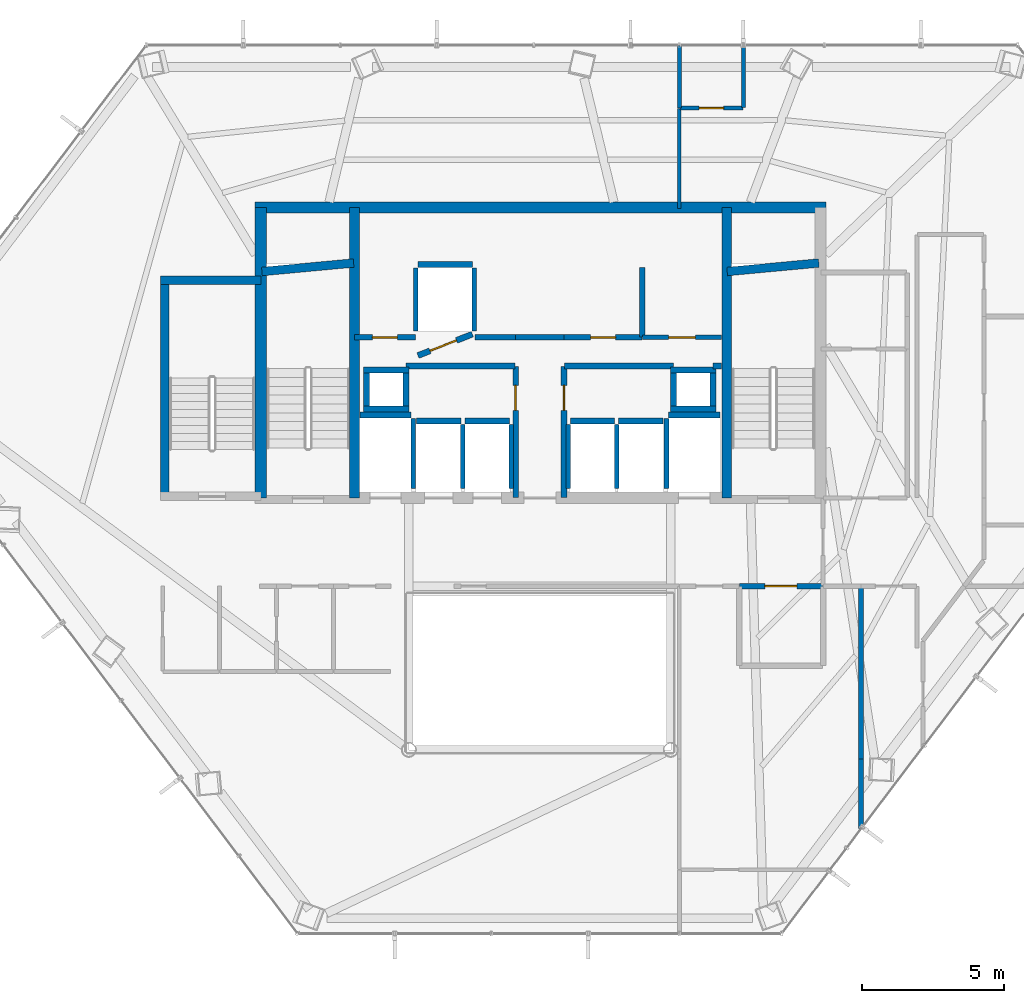
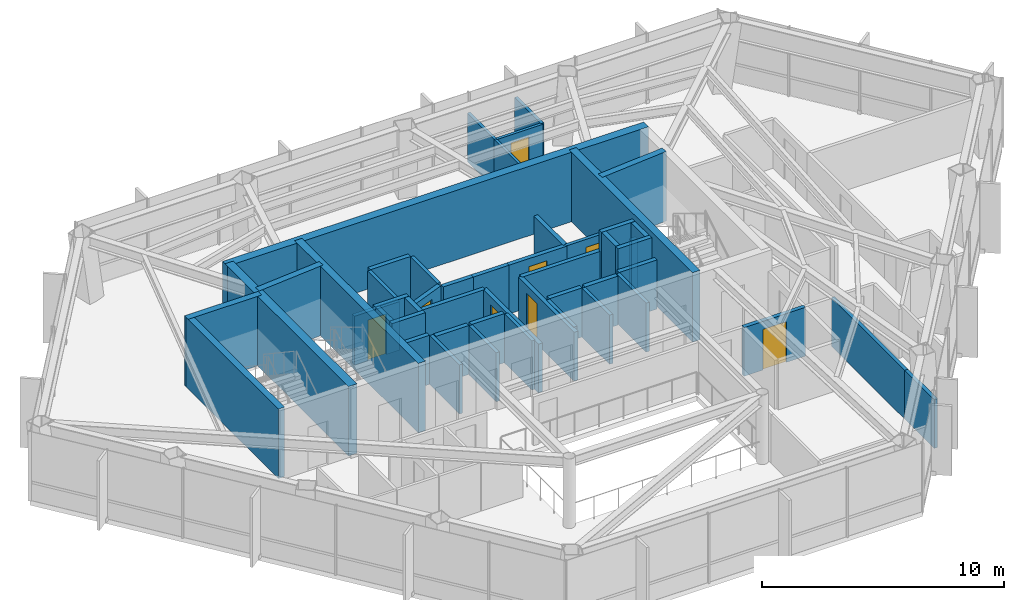
# One storey, part 26 of 29: 50 walls, 8 doors, 8 openings.
"""IFC4 building model written with IfcOpenShell, lengths in metres."""

from ifc_helpers import new_model, si_unit, direction, frame, frame_2d, origin, place, context, subcontext, project, spatial, rectangle, extrude, material, layer, layer_set, type_object, element, fill, save


model = new_model("IFC4")

# Units and contexts
model_context = context("Model", 3, precision=1e-05, world=origin(), true_north=direction((0.0, 1.0)))
body_context = subcontext(model_context, "Body", "Model", "MODEL_VIEW")
ifc_project = project(units=[si_unit("LENGTHUNIT", "METRE"), si_unit("AREAUNIT", "SQUARE_METRE"), si_unit("VOLUMEUNIT", "CUBIC_METRE"), si_unit("PLANEANGLEUNIT", "RADIAN"), si_unit("MASSUNIT", "GRAM", prefix="KILO")], contexts=[model_context])

# Site, building, storey
site_placement = place(None, origin())
site = spatial("IfcSite", under=ifc_project, at=site_placement, CompositionType="ELEMENT")
building_placement = place(site_placement, origin())
building = spatial("IfcBuilding", under=site, at=building_placement, Name="Zarrinselat Tower", CompositionType="ELEMENT")
storey_placement = place(building_placement, frame((0.0, 0.0, 142.1201171875)))
storey = spatial("IfcBuildingStorey", under=building, at=storey_placement, Name="L34", CompositionType="ELEMENT", Elevation=142.1201171875)

# Walls
ifc_material_1 = material(Name="Fire-Rated Gypsum Board Partition", Category="gypsum")
ifc_layer_1 = layer(ifc_material_1, 0.1650390625)
ifc_layer_set_1 = layer_set([ifc_layer_1], Name="Fire-Rated Gypsum Board Partition")
wall_type_1 = type_object("IfcWallType", Name="WAL-PART-DEMISE", PredefinedType="PARTITIONING", material=ifc_layer_set_1)
wall_1_placement = place(storey_placement, frame((49.68359375, 24.077880859375, 0.0), z_axis=(0.0, 0.0, 1.0), x_axis=(0.0, 1.0, 0.0)))
element("IfcWall", 1, at=wall_1_placement, inside=storey, type_object=wall_type_1, Name="L34 Partition Wall 48", PredefinedType="PARTITIONING", context=body_context, shape_type="SweptSolid", body=[
    extrude(rectangle(XDim=6.052001953125, YDim=0.1650390625, at=frame_2d((3.02587890625, 0.0))), origin(), (0.0, 0.0, 1.0), 2.456787109375),
])
wall_2_placement = place(storey_placement, frame((49.68359375, 21.639404296875, 0.0), z_axis=(0.0, 0.0, 1.0), x_axis=(0.0, 1.0, 0.0)))
element("IfcWall", 2, at=wall_2_placement, inside=storey, type_object=wall_type_1, Name="L34 Partition Wall 49", PredefinedType="PARTITIONING", context=body_context, shape_type="SweptSolid", body=[
    extrude(rectangle(XDim=2.4384765625, YDim=0.1650390625, at=frame_2d((1.21923828125, 0.0))), origin(), (0.0, 0.0, 1.0), 2.456787109375),
])

# Wall, opening, door
ifc_material_2 = material(Name="Concrete C40/50", Category="concrete")
ifc_layer_2 = layer(ifc_material_2, 0.18994140625)
ifc_layer_set_2 = layer_set([ifc_layer_2], Name="Concrete C40/50")
wall_type_2 = type_object("IfcWallType", Name="WAL-PART-EI120", PredefinedType="PARTITIONING", material=ifc_layer_set_2)
wall_3_placement = place(storey_placement, frame((45.405029296875, 30.14990234375, 0.0), z_axis=(0.0, 0.0, 1.0), x_axis=(1.0, 0.0, 0.0)))
wall_3 = element("IfcWall", 3, at=wall_3_placement, inside=storey, type_object=wall_type_2, Name="L34 Partition Wall 12", PredefinedType="PARTITIONING", context=body_context, shape_type="SweptSolid", body=[
    extrude(rectangle(XDim=2.925048828125, YDim=0.18994140625, at=frame_2d((1.46240234375, 0.0))), origin(), (0.0, 0.0, 1.0), 2.456787109375),
])
opening_1_placement = place(wall_3_placement, frame((0.902587890625, 0.0, 0.0)))
opening_1 = element("IfcOpeningElement", 4, at=opening_1_placement, cuts=wall_3, Name="Opening ID-02", PredefinedType="OPENING", context=body_context, shape_type="SweptSolid", body=[
    extrude(rectangle(XDim=1.1201171875, YDim=2.050048828125, at=frame_2d((0.56005859375, 1.02490234375))), frame((0.0, 0.10498046875, 0.0), z_axis=(0.0, -1.0, 0.0), x_axis=(1.0, 0.0, 0.0)), (0.0, 0.0, 1.0), 0.2099609375),
])
ifc_material_3 = material(Name="Steel S355J2", Category="steel")
door_type_1 = type_object("IfcDoorType", Name="DR-INT-FD60-W", OperationType="NOTDEFINED", PredefinedType="DOOR", material=ifc_material_3)
door_1_placement = place(opening_1_placement, origin())
door_1 = element("IfcDoor", 5, at=door_1_placement, inside=storey, type_object=door_type_1, Name="L34 Interior Door P12", OperationType="SINGLE_SWING_RIGHT", OverallHeight=2.050048828125, OverallWidth=1.1201171875, PredefinedType="DOOR", context=body_context, shape_type="SweptSolid", body=[
    extrude(rectangle(XDim=1.1201171875, YDim=2.050048828125, at=frame_2d((0.56005859375, 1.02490234375))), frame((0.0, 0.02490234375, 0.0), z_axis=(0.0, -1.0, 0.0), x_axis=(1.0, 0.0, 0.0)), (0.0, 0.0, 1.0), 0.050048828125),
])
fill(opening_1, door_1)

ifc_material_4 = material(Name="Fire-Rated Gypsum Board Partition", Category="gypsum")
ifc_layer_3 = layer(ifc_material_4, 0.14990234375)
ifc_layer_set_3 = layer_set([ifc_layer_3], Name="Fire-Rated Gypsum Board Partition")
wall_type_3 = type_object("IfcWallType", Name="WAL-PART-EI60", PredefinedType="PARTITIONING", material=ifc_layer_set_3)
wall_4_placement = place(storey_placement, frame((42.0048828125, 38.889892578125, 0.0), z_axis=(0.0, 0.0, 1.0), x_axis=(1.0, 0.0, 0.0)))
wall_4 = element("IfcWall", 6, at=wall_4_placement, inside=storey, type_object=wall_type_3, Name="L34 Partition Wall 7", PredefinedType="PARTITIONING", context=body_context, shape_type="SweptSolid", body=[
    extrude(rectangle(XDim=2.780029296875, YDim=0.14990234375, at=frame_2d((1.39013671875, 0.0))), origin(), (0.0, 0.0, 1.0), 2.456787109375),
])
opening_2_placement = place(wall_4_placement, frame((0.919921875, 0.0, 0.0)))
opening_2 = element("IfcOpeningElement", 7, at=opening_2_placement, cuts=wall_4, Name="Opening ID-04", PredefinedType="OPENING", context=body_context, shape_type="SweptSolid", body=[
    extrude(rectangle(XDim=0.93994140625, YDim=2.050048828125, at=frame_2d((0.469970703125, 1.02490234375))), frame((0.0, 0.0849609375, 0.0), z_axis=(0.0, -1.0, 0.0), x_axis=(1.0, 0.0, 0.0)), (0.0, 0.0, 1.0), 0.169921875),
])
ifc_material_5 = material(Name="Fire-Rated Gypsum Board Partition")
door_type_2 = type_object("IfcDoorType", Name="DR-INT-FD30-ENT", OperationType="NOTDEFINED", PredefinedType="DOOR", material=ifc_material_5)
door_2_placement = place(opening_2_placement, origin())
door_2 = element("IfcDoor", 8, at=door_2_placement, inside=storey, type_object=door_type_2, Name="L34 Interior Door P7", OperationType="SINGLE_SWING_RIGHT", OverallHeight=2.050048828125, OverallWidth=0.93994140625, PredefinedType="DOOR", context=body_context, shape_type="SweptSolid", body=[
    extrude(rectangle(XDim=0.93994140625, YDim=2.050048828125, at=frame_2d((0.469970703125, 1.02490234375))), frame((0.0, 0.02490234375, 0.0), z_axis=(0.0, -1.0, 0.0), x_axis=(1.0, 0.0, 0.0)), (0.0, 0.0, 1.0), 0.050048828125),
])
fill(opening_2, door_2)

ifc_material_6 = material(Name="Concrete C40/50", Category="concrete")
ifc_layer_4 = layer(ifc_material_6, 0.199951171875)
ifc_layer_set_4 = layer_set([ifc_layer_4], Name="Concrete C40/50")
wall_type_4 = type_object("IfcWallType", Name="WAL-PART-PLANT", PredefinedType="PARTITIONING", material=ifc_layer_set_4)
wall_5_placement = place(storey_placement, frame((37.550048828125, 33.264892578125, 0.0), z_axis=(0.0, 0.0, 1.0), x_axis=(0.0, 1.0, 0.0)))
wall_5 = element("IfcWall", 9, at=wall_5_placement, inside=storey, type_object=wall_type_4, Name="L34 Partition Wall 1", PredefinedType="PARTITIONING", context=body_context, shape_type="SweptSolid", body=[
    extrude(rectangle(XDim=4.59521484375, YDim=0.199951171875, at=frame_2d((2.297607421875, 0.0))), origin(), (0.0, 0.0, 1.0), 2.456787109375),
])
opening_3_placement = place(wall_5_placement, frame((3.0576171875, 0.0, 0.0)))
opening_3 = element("IfcOpeningElement", 10, at=opening_3_placement, cuts=wall_5, Name="Opening ID-03", PredefinedType="OPENING", context=body_context, shape_type="SweptSolid", body=[
    extrude(rectangle(XDim=0.8798828125, YDim=2.050048828125, at=frame_2d((0.43994140625, 1.02490234375))), frame((0.0, 0.10986328125, 0.0), z_axis=(0.0, -1.0, 0.0), x_axis=(1.0, 0.0, 0.0)), (0.0, 0.0, 1.0), 0.219970703125),
])
ifc_material_7 = material(Name="Steel S355J2", Category="steel")
door_type_3 = type_object("IfcDoorType", Name="DR-INT-FD60-S", OperationType="NOTDEFINED", PredefinedType="DOOR", material=ifc_material_7)
door_3_placement = place(opening_3_placement, origin())
door_3 = element("IfcDoor", 11, at=door_3_placement, inside=storey, type_object=door_type_3, Name="L34 Interior Door P1", OperationType="SINGLE_SWING_LEFT", OverallHeight=2.050048828125, OverallWidth=0.8798828125, PredefinedType="DOOR", context=body_context, shape_type="SweptSolid", body=[
    extrude(rectangle(XDim=0.8798828125, YDim=2.050048828125, at=frame_2d((0.43994140625, 1.02490234375))), frame((0.0, 0.02490234375, 0.0), z_axis=(0.0, -1.0, 0.0), x_axis=(1.0, 0.0, 0.0)), (0.0, 0.0, 1.0), 0.050048828125),
])
fill(opening_3, door_3)

# Wall
wall_6_placement = place(storey_placement, frame((33.705078125, 37.8798828125, 0.0), z_axis=(0.0, 0.0, 1.0), x_axis=(1.0, 0.0, 0.0)))
element("IfcWall", 12, at=wall_6_placement, inside=storey, type_object=wall_type_4, Name="L34 Partition Wall 2", PredefinedType="PARTITIONING", context=body_context, shape_type="SweptSolid", body=[
    extrude(rectangle(XDim=3.824951171875, YDim=0.199951171875, at=frame_2d((1.91259765625, 0.0))), origin(), (0.0, 0.0, 1.0), 2.456787109375),
])

# Wall, opening, door
wall_7_placement = place(storey_placement, frame((31.885009765625, 38.889892578125, 0.0), z_axis=(0.0, 0.0, 1.0), x_axis=(1.0, 0.0, 0.0)))
wall_7 = element("IfcWall", 13, at=wall_7_placement, inside=storey, type_object=wall_type_4, Name="L34 Partition Wall 3", PredefinedType="PARTITIONING", context=body_context, shape_type="SweptSolid", body=[
    extrude(rectangle(XDim=2.14990234375, YDim=0.199951171875, at=frame_2d((1.074951171875, 0.0))), origin(), (0.0, 0.0, 1.0), 2.456787109375),
])
opening_4_placement = place(wall_7_placement, frame((0.635009765625, 0.0, 0.0)))
opening_4 = element("IfcOpeningElement", 14, at=opening_4_placement, cuts=wall_7, Name="Opening ID-03", PredefinedType="OPENING", context=body_context, shape_type="SweptSolid", body=[
    extrude(rectangle(XDim=0.8798828125, YDim=2.050048828125, at=frame_2d((0.43994140625, 1.02490234375))), frame((0.0, 0.10986328125, 0.0), z_axis=(0.0, -1.0, 0.0), x_axis=(1.0, 0.0, 0.0)), (0.0, 0.0, 1.0), 0.219970703125),
])
door_4_placement = place(opening_4_placement, origin())
door_4 = element("IfcDoor", 15, at=door_4_placement, inside=storey, type_object=door_type_3, Name="L34 Interior Door P3", OperationType="SINGLE_SWING_RIGHT", OverallHeight=2.050048828125, OverallWidth=0.8798828125, PredefinedType="DOOR", context=body_context, shape_type="SweptSolid", body=[
    extrude(rectangle(XDim=0.8798828125, YDim=2.050048828125, at=frame_2d((0.43994140625, 1.02490234375))), frame((0.0, 0.02490234375, 0.0), z_axis=(0.0, -1.0, 0.0), x_axis=(1.0, 0.0, 0.0)), (0.0, 0.0, 1.0), 0.050048828125),
])
fill(opening_4, door_4)

# Walls
wall_8_placement = place(storey_placement, frame((36.114990234375, 38.889892578125, 0.0), z_axis=(0.0, 0.0, 1.0), x_axis=(1.0, 0.0, 0.0)))
element("IfcWall", 16, at=wall_8_placement, inside=storey, type_object=wall_type_4, Name="L34 Partition Wall 4", PredefinedType="PARTITIONING", context=body_context, shape_type="SweptSolid", body=[
    extrude(rectangle(XDim=1.43505859375, YDim=0.199951171875, at=frame_2d((0.717529296875, 0.0))), origin(), (0.0, 0.0, 1.0), 2.456787109375),
])
wall_9_placement = place(storey_placement, frame((37.550048828125, 38.889892578125, 0.0), z_axis=(0.0, 0.0, 1.0), x_axis=(1.0, 0.0, 0.0)))
element("IfcWall", 17, at=wall_9_placement, inside=storey, type_object=wall_type_4, Name="L34 Partition Wall 5", PredefinedType="PARTITIONING", context=body_context, shape_type="SweptSolid", body=[
    extrude(rectangle(XDim=1.699951171875, YDim=0.199951171875, at=frame_2d((0.85009765625, 0.0))), origin(), (0.0, 0.0, 1.0), 2.456787109375),
])

# Wall, opening, door
wall_10_placement = place(storey_placement, frame((39.25, 38.889892578125, 0.0), z_axis=(0.0, 0.0, 1.0), x_axis=(1.0, 0.0, 0.0)))
wall_10 = element("IfcWall", 18, at=wall_10_placement, inside=storey, type_object=wall_type_4, Name="L34 Partition Wall 6", PredefinedType="PARTITIONING", context=body_context, shape_type="SweptSolid", body=[
    extrude(rectangle(XDim=2.7451171875, YDim=0.199951171875, at=frame_2d((1.37255859375, 0.0))), origin(), (0.0, 0.0, 1.0), 2.456787109375),
])
opening_5_placement = place(wall_10_placement, frame((0.9326171875, 0.0, 0.0)))
opening_5 = element("IfcOpeningElement", 19, at=opening_5_placement, cuts=wall_10, Name="Opening ID-03", PredefinedType="OPENING", context=body_context, shape_type="SweptSolid", body=[
    extrude(rectangle(XDim=0.8798828125, YDim=2.050048828125, at=frame_2d((0.43994140625, 1.02490234375))), frame((0.0, 0.10986328125, 0.0), z_axis=(0.0, -1.0, 0.0), x_axis=(1.0, 0.0, 0.0)), (0.0, 0.0, 1.0), 0.219970703125),
])
door_5_placement = place(opening_5_placement, origin())
door_5 = element("IfcDoor", 20, at=door_5_placement, inside=storey, type_object=door_type_3, Name="L34 Interior Door P6", OperationType="SINGLE_SWING_LEFT", OverallHeight=2.050048828125, OverallWidth=0.8798828125, PredefinedType="DOOR", context=body_context, shape_type="SweptSolid", body=[
    extrude(rectangle(XDim=0.8798828125, YDim=2.050048828125, at=frame_2d((0.43994140625, 1.02490234375))), frame((0.0, 0.02490234375, 0.0), z_axis=(0.0, -1.0, 0.0), x_axis=(1.0, 0.0, 0.0)), (0.0, 0.0, 1.0), 0.050048828125),
])
fill(opening_5, door_5)

# Walls
wall_11_placement = place(storey_placement, frame((39.27001953125, 37.8798828125, 0.0), z_axis=(0.0, 0.0, 1.0), x_axis=(1.0, 0.0, 0.0)))
element("IfcWall", 21, at=wall_11_placement, inside=storey, type_object=wall_type_4, Name="L34 Partition Wall 8", PredefinedType="PARTITIONING", context=body_context, shape_type="SweptSolid", body=[
    extrude(rectangle(XDim=3.824951171875, YDim=0.199951171875, at=frame_2d((1.91259765625, 0.0))), origin(), (0.0, 0.0, 1.0), 2.456787109375),
])
wall_12_placement = place(storey_placement, frame((44.485107421875, 37.8798828125, 0.0), z_axis=(0.0, 0.0, 1.0), x_axis=(1.0, 0.0, 0.0)))
element("IfcWall", 22, at=wall_12_placement, inside=storey, type_object=wall_type_4, Name="L34 Partition Wall 9", PredefinedType="PARTITIONING", context=body_context, shape_type="SweptSolid", body=[
    extrude(rectangle(XDim=0.2998046875, YDim=0.199951171875, at=frame_2d((0.14990234375, 0.0))), origin(), (0.0, 0.0, 1.0), 2.456787109375),
])

# Wall, opening, door
wall_13_placement = place(storey_placement, frame((39.25, 33.264892578125, 0.0), z_axis=(0.0, 0.0, 1.0), x_axis=(0.0, 1.0, 0.0)))
wall_13 = element("IfcWall", 23, at=wall_13_placement, inside=storey, type_object=wall_type_4, Name="L34 Partition Wall 10", PredefinedType="PARTITIONING", context=body_context, shape_type="SweptSolid", body=[
    extrude(rectangle(XDim=4.59521484375, YDim=0.199951171875, at=frame_2d((2.297607421875, 0.0))), origin(), (0.0, 0.0, 1.0), 2.456787109375),
])
opening_6_placement = place(wall_13_placement, frame((3.0576171875, 0.0, 0.0)))
opening_6 = element("IfcOpeningElement", 24, at=opening_6_placement, cuts=wall_13, Name="Opening ID-03", PredefinedType="OPENING", context=body_context, shape_type="SweptSolid", body=[
    extrude(rectangle(XDim=0.8798828125, YDim=2.050048828125, at=frame_2d((0.43994140625, 1.02490234375))), frame((0.0, 0.10986328125, 0.0), z_axis=(0.0, -1.0, 0.0), x_axis=(1.0, 0.0, 0.0)), (0.0, 0.0, 1.0), 0.219970703125),
])
door_6_placement = place(opening_6_placement, origin())
door_6 = element("IfcDoor", 25, at=door_6_placement, inside=storey, type_object=door_type_3, Name="L34 Interior Door P10", OperationType="SINGLE_SWING_LEFT", OverallHeight=2.050048828125, OverallWidth=0.8798828125, PredefinedType="DOOR", context=body_context, shape_type="SweptSolid", body=[
    extrude(rectangle(XDim=0.8798828125, YDim=2.050048828125, at=frame_2d((0.43994140625, 1.02490234375))), frame((0.0, 0.02490234375, 0.0), z_axis=(0.0, -1.0, 0.0), x_axis=(1.0, 0.0, 0.0)), (0.0, 0.0, 1.0), 0.050048828125),
])
fill(opening_6, door_6)

# Walls
wall_14_placement = place(storey_placement, frame((42.0, 38.909912109375, 0.0), z_axis=(0.0, 0.0, 1.0), x_axis=(0.0, 1.0, 0.0)))
element("IfcWall", 26, at=wall_14_placement, inside=storey, type_object=wall_type_4, Name="L34 Partition Wall 11", PredefinedType="PARTITIONING", context=body_context, shape_type="SweptSolid", body=[
    extrude(rectangle(XDim=2.440185546875, YDim=0.199951171875, at=frame_2d((1.22021484375, 0.0))), origin(), (0.0, 0.0, 1.0), 2.456787109375),
])
ifc_material_8 = material(Name="Fire-Rated Gypsum Board Partition", Category="gypsum")
ifc_layer_5 = layer(ifc_material_8, 0.1201171875)
ifc_layer_set_5 = layer_set([ifc_layer_5], Name="Fire-Rated Gypsum Board Partition")
wall_type_5 = type_object("IfcWallType", Name="WAL-PART-STD", PredefinedType="PARTITIONING", material=ifc_layer_set_5)
wall_15_placement = place(storey_placement, frame((43.300048828125, 43.4150390625, 0.0), z_axis=(0.0, 0.0, 1.0), x_axis=(0.0, 1.0, 0.0)))
element("IfcWall", 27, at=wall_15_placement, inside=storey, type_object=wall_type_5, Name="L34 Partition Wall 45", PredefinedType="PARTITIONING", context=body_context, shape_type="SweptSolid", body=[
    extrude(rectangle(XDim=3.52001953125, YDim=0.1201171875, at=frame_2d((1.760009765625, 0.0))), origin(), (0.0, 0.0, 1.0), 2.456787109375),
])
ifc_material_9 = material(Name="Fire-Rated Gypsum Board Partition", Category="gypsum")
ifc_layer_6 = layer(ifc_material_9, 0.135009765625)
ifc_layer_set_6 = layer_set([ifc_layer_6], Name="Fire-Rated Gypsum Board Partition")
wall_type_6 = type_object("IfcWallType", Name="WAL-PART-WET", PredefinedType="PARTITIONING", material=ifc_layer_set_6)
wall_16_placement = place(storey_placement, frame((43.300048828125, 46.945068359375, 0.0), z_axis=(0.0, 0.0, 1.0), x_axis=(0.0, 1.0, 0.0)))
element("IfcWall", 28, at=wall_16_placement, inside=storey, type_object=wall_type_6, Name="L34 Partition Wall 46", PredefinedType="PARTITIONING", context=body_context, shape_type="SweptSolid", body=[
    extrude(rectangle(XDim=2.18994140625, YDim=0.135009765625, at=frame_2d((1.094970703125, 0.0))), origin(), (0.0, 0.0, 1.0), 2.456787109375),
])

# Wall, opening, door
wall_17_placement = place(storey_placement, frame((43.320068359375, 46.93994140625, 0.0), z_axis=(0.0, 0.0, 1.0), x_axis=(1.0, 0.0, 0.0)))
wall_17 = element("IfcWall", 29, at=wall_17_placement, inside=storey, type_object=wall_type_6, Name="L34 Partition Wall 56", PredefinedType="PARTITIONING", context=body_context, shape_type="SweptSolid", body=[
    extrude(rectangle(XDim=2.2099609375, YDim=0.135009765625, at=frame_2d((1.10498046875, 0.0))), origin(), (0.0, 0.0, 1.0), 2.456787109375),
])
opening_7_placement = place(wall_17_placement, frame((0.675048828125, 0.0, 0.0)))
opening_7 = element("IfcOpeningElement", 30, at=opening_7_placement, cuts=wall_17, Name="Opening ID-06", PredefinedType="OPENING", context=body_context, shape_type="SweptSolid", body=[
    extrude(rectangle(XDim=0.860107421875, YDim=2.050048828125, at=frame_2d((0.43017578125, 1.02490234375))), frame((0.0, 0.077392578125, 0.0), z_axis=(0.0, -1.0, 0.0), x_axis=(1.0, 0.0, 0.0)), (0.0, 0.0, 1.0), 0.155029296875),
])
ifc_material_10 = material(Name="Extruded Aluminium Alloy EN AW-6063 T6", Category="aluminium")
door_type_4 = type_object("IfcDoorType", Name="DR-INT-WET-900", OperationType="NOTDEFINED", PredefinedType="DOOR", material=ifc_material_10)
door_7_placement = place(opening_7_placement, origin())
door_7 = element("IfcDoor", 31, at=door_7_placement, inside=storey, type_object=door_type_4, Name="L34 Interior Door P56", OperationType="SINGLE_SWING_LEFT", OverallHeight=2.050048828125, OverallWidth=0.860107421875, PredefinedType="DOOR", context=body_context, shape_type="SweptSolid", body=[
    extrude(rectangle(XDim=0.860107421875, YDim=2.050048828125, at=frame_2d((0.43017578125, 1.02490234375))), frame((0.0, 0.02490234375, 0.0), z_axis=(0.0, -1.0, 0.0), x_axis=(1.0, 0.0, 0.0)), (0.0, 0.0, 1.0), 0.050048828125),
])
fill(opening_7, door_7)

# Walls
wall_18_placement = place(storey_placement, frame((45.550048828125, 46.9599609375, 0.0), z_axis=(0.0, 0.0, 1.0), x_axis=(0.0, 1.0, 0.0)))
element("IfcWall", 32, at=wall_18_placement, inside=storey, type_object=wall_type_6, Name="L34 Partition Wall 57", PredefinedType="PARTITIONING", context=body_context, shape_type="SweptSolid", body=[
    extrude(rectangle(XDim=2.175048828125, YDim=0.135009765625, at=frame_2d((1.08740234375, 0.0))), origin(), (0.0, 0.0, 1.0), 2.456787109375),
])
ifc_material_11 = material(Name="Concrete C40/50", Category="concrete")
ifc_layer_7 = layer(ifc_material_11, 0.2099609375)
ifc_layer_set_7 = layer_set([ifc_layer_7], Name="Concrete C40/50")
wall_type_7 = type_object("IfcWallType", Name="WAL-SHAFT-210", PredefinedType="SOLIDWALL", material=ifc_layer_set_7)
wall_19_placement = place(storey_placement, frame((32.080078125, 36.155029296875, 0.0), z_axis=(0.0, 0.0, 1.0), x_axis=(1.0, 0.0, 0.0)))
element("IfcWall", 33, at=wall_19_placement, inside=storey, type_object=wall_type_7, Name="L34 Lift FFL1 North Shaft Wall", PredefinedType="SOLIDWALL", context=body_context, shape_type="SweptSolid", body=[
    extrude(rectangle(XDim=1.7998046875, YDim=0.2099609375, at=frame_2d((0.89990234375, 0.0))), origin(), (0.0, 0.0, 1.0), 2.471923828125),
])
wall_20_placement = place(storey_placement, frame((33.949951171875, 33.580078125, 0.0), z_axis=(0.0, 0.0, 1.0), x_axis=(0.0, 1.0, 0.0)))
element("IfcWall", 34, at=wall_20_placement, inside=storey, type_object=wall_type_7, Name="L34 Lift FFL1 E Shaft Wall", PredefinedType="SOLIDWALL", context=body_context, shape_type="SweptSolid", body=[
    extrude(rectangle(XDim=2.449951171875, YDim=0.159912109375, at=frame_2d((1.22509765625, 0.0))), origin(), (0.0, 0.0, 1.0), 2.471923828125),
])
wall_21_placement = place(storey_placement, frame((42.919921875, 36.155029296875, 0.0), z_axis=(0.0, 0.0, 1.0), x_axis=(1.0, 0.0, 0.0)))
element("IfcWall", 35, at=wall_21_placement, inside=storey, type_object=wall_type_7, Name="L34 Lift FFL2 North Shaft Wall", PredefinedType="SOLIDWALL", context=body_context, shape_type="SweptSolid", body=[
    extrude(rectangle(XDim=1.800048828125, YDim=0.2099609375, at=frame_2d((0.89990234375, 0.0))), origin(), (0.0, 0.0, 1.0), 2.471923828125),
])
wall_22_placement = place(storey_placement, frame((42.85009765625, 33.580078125, 0.0), z_axis=(0.0, 0.0, 1.0), x_axis=(0.0, 1.0, 0.0)))
element("IfcWall", 36, at=wall_22_placement, inside=storey, type_object=wall_type_7, Name="L34 Lift FFL2 W Shaft Wall", PredefinedType="SOLIDWALL", context=body_context, shape_type="SweptSolid", body=[
    extrude(rectangle(XDim=2.449951171875, YDim=0.159912109375, at=frame_2d((1.22509765625, 0.0))), origin(), (0.0, 0.0, 1.0), 2.471923828125),
])
wall_23_placement = place(storey_placement, frame((34.070068359375, 35.955078125, 0.0), z_axis=(0.0, 0.0, 1.0), x_axis=(1.0, 0.0, 0.0)))
element("IfcWall", 37, at=wall_23_placement, inside=storey, type_object=wall_type_7, Name="L34 Lift PL5 North Shaft Wall", PredefinedType="SOLIDWALL", context=body_context, shape_type="SweptSolid", body=[
    extrude(rectangle(XDim=1.559814453125, YDim=0.2099609375, at=frame_2d((0.77978515625, 0.0))), origin(), (0.0, 0.0, 1.0), 2.471923828125),
])
wall_24_placement = place(storey_placement, frame((35.699951171875, 33.580078125, 0.0), z_axis=(0.0, 0.0, 1.0), x_axis=(0.0, 1.0, 0.0)))
element("IfcWall", 38, at=wall_24_placement, inside=storey, type_object=wall_type_7, Name="L34 Lift PL5 E Shaft Wall", PredefinedType="SOLIDWALL", context=body_context, shape_type="SweptSolid", body=[
    extrude(rectangle(XDim=2.25, YDim=0.159912109375, at=frame_2d((1.125, 0.0))), origin(), (0.0, 0.0, 1.0), 2.471923828125),
])
wall_25_placement = place(storey_placement, frame((35.77001953125, 35.955078125, 0.0), z_axis=(0.0, 0.0, 1.0), x_axis=(1.0, 0.0, 0.0)))
element("IfcWall", 39, at=wall_25_placement, inside=storey, type_object=wall_type_7, Name="L34 Lift PL6 North Shaft Wall", PredefinedType="SOLIDWALL", context=body_context, shape_type="SweptSolid", body=[
    extrude(rectangle(XDim=1.56005859375, YDim=0.2099609375, at=frame_2d((0.780029296875, 0.0))), origin(), (0.0, 0.0, 1.0), 2.471923828125),
])
wall_26_placement = place(storey_placement, frame((37.39990234375, 33.580078125, 0.0), z_axis=(0.0, 0.0, 1.0), x_axis=(0.0, 1.0, 0.0)))
element("IfcWall", 40, at=wall_26_placement, inside=storey, type_object=wall_type_7, Name="L34 Lift PL6 E Shaft Wall", PredefinedType="SOLIDWALL", context=body_context, shape_type="SweptSolid", body=[
    extrude(rectangle(XDim=2.25, YDim=0.159912109375, at=frame_2d((1.125, 0.0))), origin(), (0.0, 0.0, 1.0), 2.471923828125),
])

# Wall, opening, door
wall_27_placement = place(storey_placement, frame((34.1201171875, 38.25, 0.0), z_axis=(0.0, 0.0, 1.0), x_axis=(0.930804993012, 0.36551616241, 0.0)))
wall_27 = element("IfcWall", 41, at=wall_27_placement, inside=storey, type_object=wall_type_7, Name="L34 Lift PL7 Front Shaft Wall", PredefinedType="SOLIDWALL", context=body_context, shape_type="SweptSolid", body=[
    extrude(rectangle(XDim=2.052001953125, YDim=0.2099609375, at=frame_2d((1.02587890625, 0.0))), origin(), (0.0, 0.0, 1.0), 2.471923828125),
])
opening_8_placement = place(wall_27_placement, frame((0.455078125, 0.0, 0.0)))
opening_8 = element("IfcOpeningElement", 42, at=opening_8_placement, cuts=wall_27, Name="Opening LD-PL7", PredefinedType="OPENING", context=body_context, shape_type="SweptSolid", body=[
    extrude(rectangle(XDim=1.0, YDim=2.10009765625, at=frame_2d((0.5, 1.050048828125))), frame((0.0, 0.114990234375, 0.0), z_axis=(0.0, -1.0, 0.0), x_axis=(1.0, 0.0, 0.0)), (0.0, 0.0, 1.0), 0.22998046875),
])
ifc_material_12 = material(Name="Steel S355J2", Category="steel")
door_type_5 = type_object("IfcDoorType", Name="DR-LIFT-PS-1000", OperationType="NOTDEFINED", PredefinedType="DOOR", material=ifc_material_12)
door_8_placement = place(opening_8_placement, origin())
door_8 = element("IfcDoor", 43, at=door_8_placement, inside=storey, type_object=door_type_5, Name="L34 Lift PL7 Sliding Landing Door", OperationType="SLIDING_TO_LEFT", OverallHeight=2.10009765625, OverallWidth=1.0, PredefinedType="DOOR", context=body_context, shape_type="SweptSolid", body=[
    extrude(rectangle(XDim=1.0, YDim=2.10009765625, at=frame_2d((0.5, 1.050048828125))), frame((0.0, 0.02490234375, 0.0), z_axis=(0.0, -1.0, 0.0), x_axis=(1.0, 0.0, 0.0)), (0.0, 0.0, 1.0), 0.050048828125),
])
fill(opening_8, door_8)

# Walls
wall_28_placement = place(storey_placement, frame((34.1201171875, 41.455078125, 0.0), z_axis=(0.0, 0.0, 1.0), x_axis=(1.0, 0.0, 0.0)))
element("IfcWall", 44, at=wall_28_placement, inside=storey, type_object=wall_type_7, Name="L34 Lift PL7 Rear Shaft Wall", PredefinedType="SOLIDWALL", context=body_context, shape_type="SweptSolid", body=[
    extrude(rectangle(XDim=1.909912109375, YDim=0.2099609375, at=frame_2d((0.955078125, 0.0))), origin(), (0.0, 0.0, 1.0), 2.471923828125),
])
for number, where, z_axis, x_axis, name in (
    (45, (34.050048828125, 39.1201171875, 0.0), (0.0, 0.0, 1.0), (0.0, 1.0, 0.0), "L34 Lift PL7 W Shaft Wall"),
    (46, (36.10009765625, 39.1201171875, 0.0), (0.0, 0.0, 1.0), (0.0, 1.0, 0.0), "L34 Lift PL7 E Shaft Wall"),
):
    element("IfcWall", number, at=place(storey_placement, frame(where, z_axis=z_axis, x_axis=x_axis)), inside=storey, type_object=wall_type_7, Name=name, PredefinedType="SOLIDWALL", context=body_context, shape_type="SweptSolid", body=[
        extrude(rectangle(XDim=2.2099609375, YDim=0.159912109375, at=frame_2d((1.10498046875, 0.0))), origin(), (0.0, 0.0, 1.0), 2.471923828125),
    ])
wall_29_placement = place(storey_placement, frame((39.469970703125, 35.955078125, 0.0), z_axis=(0.0, 0.0, 1.0), x_axis=(1.0, 0.0, 0.0)))
element("IfcWall", 47, at=wall_29_placement, inside=storey, type_object=wall_type_7, Name="L34 Lift PL8 North Shaft Wall", PredefinedType="SOLIDWALL", context=body_context, shape_type="SweptSolid", body=[
    extrude(rectangle(XDim=1.56005859375, YDim=0.2099609375, at=frame_2d((0.780029296875, 0.0))), origin(), (0.0, 0.0, 1.0), 2.471923828125),
])
for number, where, z_axis, x_axis, name in (
    (48, (39.39990234375, 33.580078125, 0.0), (0.0, 0.0, 1.0), (0.0, 1.0, 0.0), "L34 Lift PL8 W Shaft Wall"),
    (49, (41.10009765625, 33.580078125, 0.0), (0.0, 0.0, 1.0), (0.0, 1.0, 0.0), "L34 Lift PL8 E Shaft Wall"),
):
    element("IfcWall", number, at=place(storey_placement, frame(where, z_axis=z_axis, x_axis=x_axis)), inside=storey, type_object=wall_type_7, Name=name, PredefinedType="SOLIDWALL", context=body_context, shape_type="SweptSolid", body=[
        extrude(rectangle(XDim=2.25, YDim=0.159912109375, at=frame_2d((1.125, 0.0))), origin(), (0.0, 0.0, 1.0), 2.471923828125),
    ])
wall_30_placement = place(storey_placement, frame((41.169921875, 35.955078125, 0.0), z_axis=(0.0, 0.0, 1.0), x_axis=(1.0, 0.0, 0.0)))
element("IfcWall", 50, at=wall_30_placement, inside=storey, type_object=wall_type_7, Name="L34 Lift PL9 North Shaft Wall", PredefinedType="SOLIDWALL", context=body_context, shape_type="SweptSolid", body=[
    extrude(rectangle(XDim=1.56005859375, YDim=0.2099609375, at=frame_2d((0.780029296875, 0.0))), origin(), (0.0, 0.0, 1.0), 2.471923828125),
])
for number, where, z_axis, x_axis, name in (
    (51, (32.2099609375, 36.375, 0.0), (0.0, 0.0, 1.0), (1.0, 0.0, 0.0), "L34 Core Riser RSR-W S Shaft Wall"),
    (52, (32.2099609375, 37.7451171875, 0.0), (0.0, 0.0, 1.0), (1.0, 0.0, 0.0), "L34 Core Riser RSR-W N Shaft Wall"),
):
    element("IfcWall", number, at=place(storey_placement, frame(where, z_axis=z_axis, x_axis=x_axis)), inside=storey, type_object=wall_type_7, Name=name, PredefinedType="SOLIDWALL", context=body_context, shape_type="SweptSolid", body=[
        extrude(rectangle(XDim=1.60009765625, YDim=0.2099609375, at=frame_2d((0.800048828125, 0.0))), origin(), (0.0, 0.0, 1.0), 3.5),
    ])
for number, where, z_axis, x_axis, name in (
    (53, (32.31494140625, 36.485107421875, 0.0), (0.0, 0.0, 1.0), (0.0, 1.0, 0.0), "L34 Core Riser RSR-W W Shaft Wall"),
    (54, (33.705078125, 36.485107421875, 0.0), (0.0, 0.0, 1.0), (0.0, 1.0, 0.0), "L34 Core Riser RSR-W E Shaft Wall"),
):
    element("IfcWall", number, at=place(storey_placement, frame(where, z_axis=z_axis, x_axis=x_axis)), inside=storey, type_object=wall_type_7, Name=name, PredefinedType="SOLIDWALL", context=body_context, shape_type="SweptSolid", body=[
        extrude(rectangle(XDim=1.14990234375, YDim=0.2099609375, at=frame_2d((0.574951171875, 0.0))), origin(), (0.0, 0.0, 1.0), 3.5),
    ])
for number, where, z_axis, x_axis, name in (
    (55, (42.989990234375, 36.375, 0.0), (0.0, 0.0, 1.0), (1.0, 0.0, 0.0), "L34 Core Riser RSR-E S Shaft Wall"),
    (56, (42.989990234375, 37.7451171875, 0.0), (0.0, 0.0, 1.0), (1.0, 0.0, 0.0), "L34 Core Riser RSR-E N Shaft Wall"),
):
    element("IfcWall", number, at=place(storey_placement, frame(where, z_axis=z_axis, x_axis=x_axis)), inside=storey, type_object=wall_type_7, Name=name, PredefinedType="SOLIDWALL", context=body_context, shape_type="SweptSolid", body=[
        extrude(rectangle(XDim=1.60009765625, YDim=0.2099609375, at=frame_2d((0.800048828125, 0.0))), origin(), (0.0, 0.0, 1.0), 3.5),
    ])
for number, where, z_axis, x_axis, name in (
    (57, (43.094970703125, 36.485107421875, 0.0), (0.0, 0.0, 1.0), (0.0, 1.0, 0.0), "L34 Core Riser RSR-E W Shaft Wall"),
    (58, (44.485107421875, 36.485107421875, 0.0), (0.0, 0.0, 1.0), (0.0, 1.0, 0.0), "L34 Core Riser RSR-E E Shaft Wall"),
):
    element("IfcWall", number, at=place(storey_placement, frame(where, z_axis=z_axis, x_axis=x_axis)), inside=storey, type_object=wall_type_7, Name=name, PredefinedType="SOLIDWALL", context=body_context, shape_type="SweptSolid", body=[
        extrude(rectangle(XDim=1.14990234375, YDim=0.2099609375, at=frame_2d((0.574951171875, 0.0))), origin(), (0.0, 0.0, 1.0), 3.5),
    ])
ifc_material_13 = material(Name="Concrete C40/50", Category="concrete")
ifc_layer_8 = layer(ifc_material_13, 0.300048828125)
ifc_layer_set_8 = layer_set([ifc_layer_8], Name="Concrete C40/50")
wall_type_8 = type_object("IfcWallType", Name="WAL-SHEAR-300", PredefinedType="SHEAR", material=ifc_layer_set_8)
wall_31_placement = place(storey_placement, frame((28.639892578125, 41.199951171875, 0.0), z_axis=(0.0, 0.0, 1.0), x_axis=(0.995687118776, 0.092774789157, 0.0)))
element("IfcWall", 59, at=wall_31_placement, inside=storey, type_object=wall_type_8, Name="L34 Stair 1 North Shaft Wall", PredefinedType="SHEAR", context=body_context, shape_type="SweptSolid", body=[
    extrude(rectangle(XDim=3.234130859375, YDim=0.300048828125, at=frame_2d((1.6171875, 0.0))), origin(), (0.0, 0.0, 1.0), 3.5),
])
wall_32_placement = place(storey_placement, frame((44.97998046875, 41.199951171875, 0.0), z_axis=(0.0, 0.0, 1.0), x_axis=(0.995686468965, 0.09278176286, 0.0)))
element("IfcWall", 60, at=wall_32_placement, inside=storey, type_object=wall_type_8, Name="L34 Stair 2 North Shaft Wall", PredefinedType="SHEAR", context=body_context, shape_type="SweptSolid", body=[
    extrude(rectangle(XDim=3.23388671875, YDim=0.300048828125, at=frame_2d((1.616943359375, 0.0))), origin(), (0.0, 0.0, 1.0), 3.5),
])
wall_33_placement = place(storey_placement, frame((25.080078125, 40.89990234375, 0.0), z_axis=(0.0, 0.0, 1.0), x_axis=(1.0, 0.0, 0.0)))
element("IfcWall", 61, at=wall_33_placement, inside=storey, type_object=wall_type_8, Name="L34 Stair 3 North Shear Wall", PredefinedType="SHEAR", context=body_context, shape_type="SweptSolid", body=[
    extrude(rectangle(XDim=3.52001953125, YDim=0.300048828125, at=frame_2d((1.760009765625, 0.0))), origin(), (0.0, 0.0, 1.0), 3.5),
])
wall_34_placement = place(storey_placement, frame((25.22998046875, 33.300048828125, 0.0), z_axis=(0.0, 0.0, 1.0), x_axis=(0.0, 1.0, 0.0)))
element("IfcWall", 62, at=wall_34_placement, inside=storey, type_object=wall_type_8, Name="L34 Stair 3 West Shear Wall", PredefinedType="SHEAR", context=body_context, shape_type="SweptSolid", body=[
    extrude(rectangle(XDim=7.599853515625, YDim=0.300048828125, at=frame_2d((3.7998046875, 0.0))), origin(), (0.0, 0.0, 1.0), 3.5),
])
ifc_material_14 = material(Name="Concrete C50/60", Category="concrete")
ifc_layer_9 = layer(ifc_material_14, 0.35009765625)
ifc_layer_set_9 = layer_set([ifc_layer_9], Name="Concrete C50/60")
wall_type_9 = type_object("IfcWallType", Name="WAL-SHEAR-350", PredefinedType="SHEAR", material=ifc_layer_set_9)
for number, where, z_axis, x_axis, name in (
    (63, (31.89501953125, 33.25, 0.0), (0.0, 0.0, 1.0), (0.0, 1.0, 0.0), "L34 Core Shear Wall ST1E"),
    (64, (44.965087890625, 33.25, 0.0), (0.0, 0.0, 1.0), (0.0, 1.0, 0.0), "L34 Core Shear Wall ST2W"),
):
    element("IfcWall", number, at=place(storey_placement, frame(where, z_axis=z_axis, x_axis=x_axis)), inside=storey, type_object=wall_type_9, Name=name, PredefinedType="SHEAR", context=body_context, shape_type="SweptSolid", body=[
        extrude(rectangle(XDim=10.199951171875, YDim=0.35009765625, at=frame_2d((5.10009765625, 0.0))), origin(), (0.0, 0.0, 1.0), 3.5),
    ])
ifc_material_15 = material(Name="Concrete C60/75", Category="concrete")
ifc_layer_10 = layer(ifc_material_15, 0.39990234375)
ifc_layer_set_10 = layer_set([ifc_layer_10], Name="Concrete C60/75")
wall_type_10 = type_object("IfcWallType", Name="WAL-SHEAR-400", PredefinedType="SHEAR", material=ifc_layer_set_10)
wall_35_placement = place(storey_placement, frame((28.39990234375, 43.449951171875, 0.0), z_axis=(0.0, 0.0, 1.0), x_axis=(1.0, 0.0, 0.0)))
element("IfcWall", 65, at=wall_35_placement, inside=storey, type_object=wall_type_10, Name="L34 North Core Shear Wall", PredefinedType="SHEAR", context=body_context, shape_type="SweptSolid", body=[
    extrude(rectangle(XDim=20.06005859375, YDim=0.39990234375, at=frame_2d((10.030029296875, 0.0))), origin(), (0.0, 0.0, 1.0), 3.5),
])
wall_36_placement = place(storey_placement, frame((28.60009765625, 33.25, 0.0), z_axis=(0.0, 0.0, 1.0), x_axis=(0.0, 1.0, 0.0)))
element("IfcWall", 66, at=wall_36_placement, inside=storey, type_object=wall_type_10, Name="L34 Core Shear Wall W", PredefinedType="SHEAR", context=body_context, shape_type="SweptSolid", body=[
    extrude(rectangle(XDim=10.199951171875, YDim=0.39990234375, at=frame_2d((5.10009765625, 0.0))), origin(), (0.0, 0.0, 1.0), 3.5),
])

save(model, "model.ifc")
